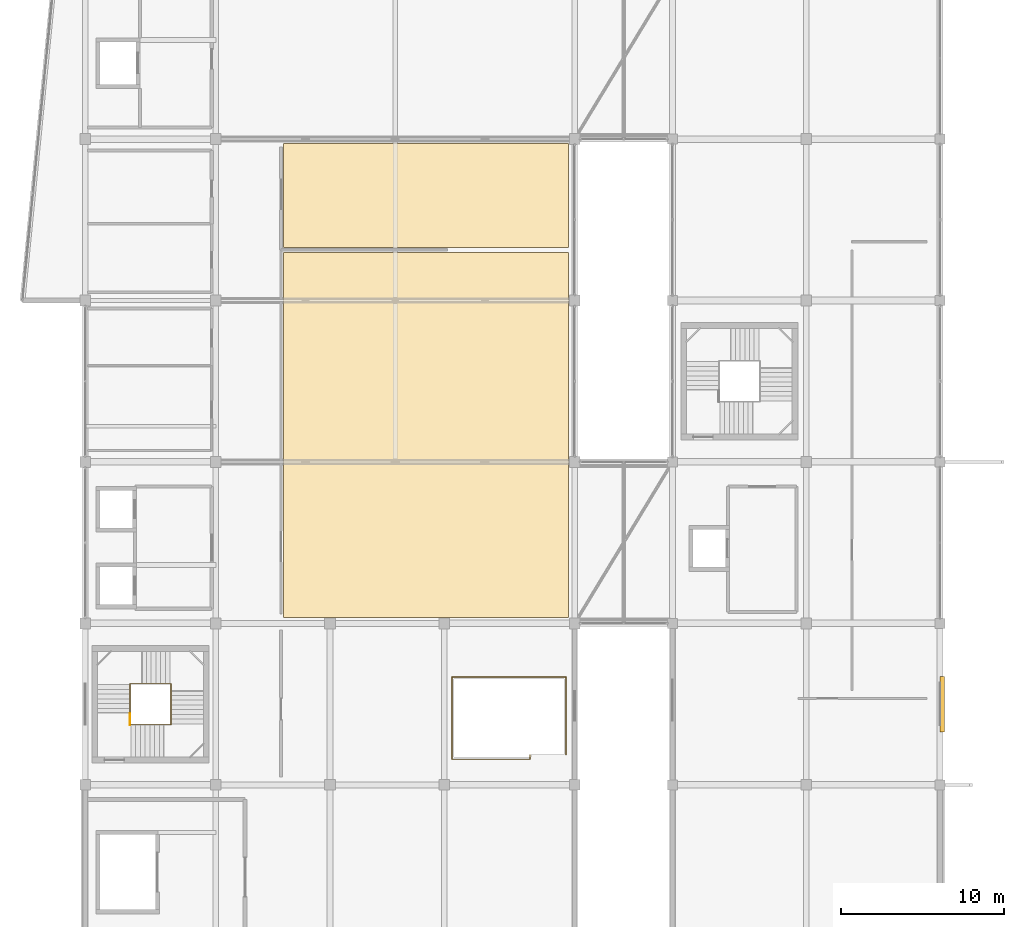
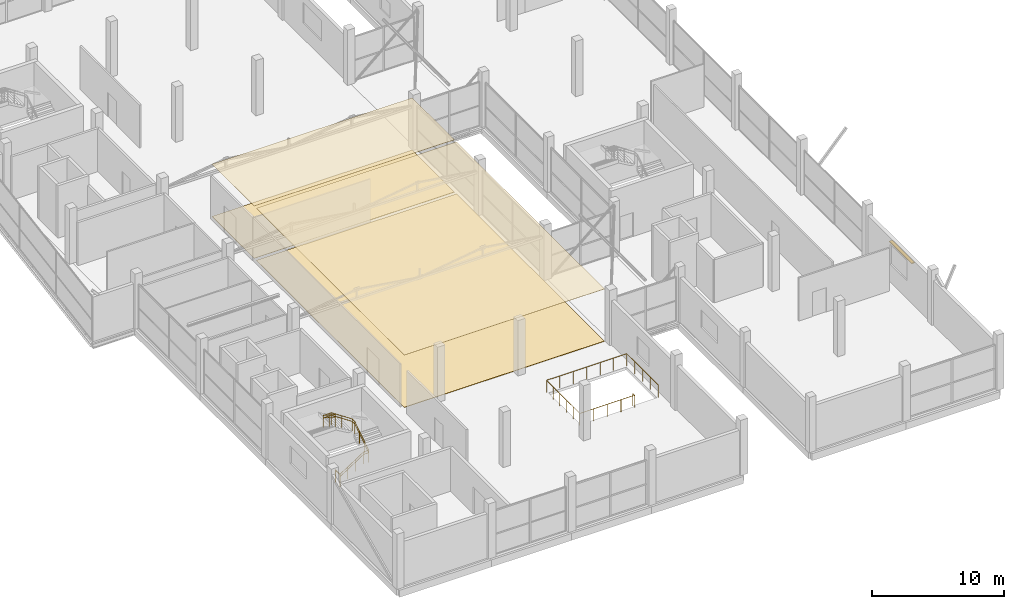
# One storey, part 57 of 58: 4 coverings, 4 railings, 1 shading device.
"""IFC4 building model written with IfcOpenShell, lengths in metres."""

from ifc_helpers import new_model, si_unit, direction, frame, origin, origin_2d, place, context, subcontext, project, spatial, polyline, rectangle, circle, outline, extrude, material, layer, layer_set, type_object, element, save


model = new_model("IFC4")

# Units and contexts
model_context = context("Model", 3, precision=1e-05, world=origin(), true_north=direction((0.0, 1.0)))
body_context = subcontext(model_context, "Body", "Model", "MODEL_VIEW")
ifc_project = project(units=[si_unit("LENGTHUNIT", "METRE"), si_unit("AREAUNIT", "SQUARE_METRE"), si_unit("VOLUMEUNIT", "CUBIC_METRE"), si_unit("PLANEANGLEUNIT", "RADIAN"), si_unit("MASSUNIT", "GRAM", prefix="KILO")], contexts=[model_context])

# Site, building, storey
site_placement = place(None, origin())
site = spatial("IfcSite", under=ifc_project, at=site_placement, CompositionType="ELEMENT")
building_placement = place(site_placement, origin())
building = spatial("IfcBuilding", under=site, at=building_placement, Name="Sillaruma Civic Art Gallery", CompositionType="ELEMENT")
storey_placement = place(building_placement, frame((0.0, 0.0, 52.02001953125)))
storey = spatial("IfcBuildingStorey", under=building, at=storey_placement, Name="L10", CompositionType="ELEMENT", Elevation=52.02001953125)

# Coverings
ifc_material_1 = material(Name="Gypsum Acoustic Board", Category="gypsum")
ifc_layer_1 = layer(ifc_material_1, 0.030029296875, Name="Gypsum Acoustic Board")
ifc_layer_set_1 = layer_set([ifc_layer_1], Name="Gypsum Acoustic Board")
covering_type_1 = type_object("IfcCoveringType", Name="COV-CLG-30", PredefinedType="CEILING", material=ifc_layer_set_1)
covering_1_placement = place(storey_placement, frame((0.0, 0.0, 4.820068359375)))
element("IfcCovering", 1, at=covering_1_placement, inside=storey, type_object=covering_type_1, Name="Acoustic Gallery Ceiling (L10-GALW1)", PredefinedType="CEILING", context=body_context, shape_type="SweptSolid", body=[
    extrude(outline(polyline([(74.159912109375, 39.9599609375), (91.639892578125, 39.9599609375), (91.639892578125, 62.340087890625), (74.159912109375, 62.340087890625), (74.159912109375, 39.9599609375)])), origin(), (0.0, 0.0, 1.0), 0.030029296875),
])
covering_2_placement = place(storey_placement, frame((0.0, 0.0, 4.820068359375)))
element("IfcCovering", 2, at=covering_2_placement, inside=storey, type_object=covering_type_1, Name="Acoustic Gallery Ceiling (L10-GALW2)", PredefinedType="CEILING", context=body_context, shape_type="SweptSolid", body=[
    extrude(outline(polyline([(74.159912109375, 62.659912109375), (91.639892578125, 62.659912109375), (91.639892578125, 69.0400390625), (74.159912109375, 69.0400390625), (74.159912109375, 62.659912109375)])), origin(), (0.0, 0.0, 1.0), 0.030029296875),
])
ifc_material_2 = material(Name="Polished Terrazzo", Category="masonry")
ifc_layer_2 = layer(ifc_material_2, 0.02490234375, Name="Polished Terrazzo")
ifc_layer_set_2 = layer_set([ifc_layer_2], Name="Polished Terrazzo")
covering_type_2 = type_object("IfcCoveringType", Name="COV-FLR-25", PredefinedType="FLOORING", material=ifc_layer_set_2)
covering_3_placement = place(storey_placement, origin())
element("IfcCovering", 3, at=covering_3_placement, inside=storey, type_object=covering_type_2, Name="Gallery Stone Terrazzo Flooring (L10-GALW2)", PredefinedType="FLOORING", context=body_context, shape_type="SweptSolid", body=[
    extrude(outline(polyline([(74.159912109375, 62.659912109375), (91.639892578125, 62.659912109375), (91.639892578125, 69.0400390625), (74.159912109375, 69.0400390625), (74.159912109375, 62.659912109375)])), origin(), (0.0, 0.0, 1.0), 0.02490234375),
])
ifc_material_3 = material(Name="Basalt Paver Stone", Category="masonry")
ifc_layer_3 = layer(ifc_material_3, 0.034912109375, Name="Basalt Paver Stone")
ifc_layer_set_3 = layer_set([ifc_layer_3], Name="Basalt Paver Stone")
covering_type_3 = type_object("IfcCoveringType", Name="COV-FLR-35", PredefinedType="FLOORING", material=ifc_layer_set_3)
covering_4_placement = place(storey_placement, origin())
element("IfcCovering", 4, at=covering_4_placement, inside=storey, type_object=covering_type_3, Name="Gallery Stone Terrazzo Flooring (L10-GALW1)", PredefinedType="FLOORING", context=body_context, shape_type="SweptSolid", body=[
    extrude(outline(polyline([(74.159912109375, 39.9599609375), (91.639892578125, 39.9599609375), (91.639892578125, 62.340087890625), (74.159912109375, 62.340087890625), (74.159912109375, 39.9599609375)])), origin(), (0.0, 0.0, 1.0), 0.034912109375),
])

# Railings
ifc_material_4 = material(Name="Stainless Steel AISI 316", Category="steel")
railing_type_1 = type_object("IfcRailingType", Name="RAL-BAL-1150", PredefinedType="BALUSTRADE", material=ifc_material_4)
railing_1_placement = place(storey_placement, frame((64.739990234375, 33.389892578125, 0.0)))
element("IfcRailing", 5, at=railing_1_placement, inside=storey, type_object=railing_type_1, Name="Stair Floor Edge Guard (ST-03:L10)", PredefinedType="BALUSTRADE", context=body_context, shape_type="SweptSolid", body=[
    extrude(circle(Radius=0.02392578125, at=origin_2d()), frame((0.0, 0.0, 1.1259765625), z_axis=(0.0, 1.0, 0.0), x_axis=(-1.0, 0.0, 0.0)), (0.0, 0.0, 1.0), 0.68017578125),
    extrude(circle(Radius=0.02099609375, at=origin_2d()), origin(), (0.0, 0.0, 1.0), 1.101806640625),
    extrude(circle(Radius=0.02099609375, at=origin_2d()), frame((0.0, 0.68017578125, 0.0)), (0.0, 0.0, 1.0), 1.101806640625),
])
railing_2_placement = place(storey_placement, frame((64.739990234375, 33.389892578125, 0.0)))
element("IfcRailing", 6, at=railing_2_placement, inside=storey, type_object=railing_type_1, Name="Stair Well Balustrade (ST-03-L10)", PredefinedType="BALUSTRADE", context=body_context, shape_type="SweptSolid", body=[
    extrude(circle(Radius=0.02392578125, at=origin_2d()), frame((0.0, 0.0, 1.1259765625), z_axis=(0.838204181713, 0.0, 0.545356534534), x_axis=(0.0, 1.0, 0.0)), (0.0, 0.0, 1.0), 2.49365234375),
    extrude(circle(Radius=0.02392578125, at=origin_2d()), frame((2.090087890625, 0.0, 2.48583984375), z_axis=(1.0, 0.0, 0.0), x_axis=(0.0, 1.0, 0.0)), (0.0, 0.0, 1.0), 0.429931640625),
    extrude(circle(Radius=0.02392578125, at=origin_2d()), frame((2.52001953125, 0.0, 2.48583984375), z_axis=(0.0, 0.838159424827, 0.545425318971), x_axis=(-1.0, 0.0, 0.0)), (0.0, 0.0, 1.0), 2.49365234375),
    extrude(circle(Radius=0.02392578125, at=origin_2d()), frame((2.52001953125, 2.090087890625, 3.845703125), z_axis=(0.0, 1.0, 0.0), x_axis=(-1.0, 0.0, 0.0)), (0.0, 0.0, 1.0), 0.429931640625),
    extrude(circle(Radius=0.02392578125, at=origin_2d()), frame((2.52001953125, 2.52001953125, 3.845703125), z_axis=(-0.834202413191, 0.0, 0.551458369984), x_axis=(0.0, -1.0, 0.0)), (0.0, 0.0, 1.0), 2.15771484375),
    extrude(circle(Radius=0.02392578125, at=origin_2d()), frame((0.719970703125, 2.52001953125, 5.03564453125), z_axis=(-1.0, 0.0, 0.0), x_axis=(0.0, -1.0, 0.0)), (0.0, 0.0, 1.0), 0.719970703125),
    extrude(circle(Radius=0.02392578125, at=origin_2d()), frame((0.0, 2.52001953125, 5.03564453125), z_axis=(0.0, -0.83411594383, 0.551589151678), x_axis=(1.0, 0.0, 0.0)), (0.0, 0.0, 1.0), 2.15771484375),
    extrude(circle(Radius=0.02099609375, at=origin_2d()), origin(), (0.0, 0.0, 1.0), 1.101806640625),
    extrude(circle(Radius=0.02099609375, at=origin_2d()), frame((0.69677734375, 0.0, 0.453369140625)), (0.0, 0.0, 1.0), 1.101806640625),
    extrude(circle(Radius=0.02099609375, at=origin_2d()), frame((1.393310546875, 0.0, 0.906494140625)), (0.0, 0.0, 1.0), 1.101806640625),
    extrude(circle(Radius=0.02099609375, at=origin_2d()), frame((2.090087890625, 0.0, 1.35986328125)), (0.0, 0.0, 1.0), 1.101806640625),
    extrude(circle(Radius=0.02099609375, at=origin_2d()), frame((2.52001953125, 0.0, 1.35986328125)), (0.0, 0.0, 1.0), 1.101806640625),
    extrude(circle(Radius=0.02099609375, at=origin_2d()), frame((2.52001953125, 0.69677734375, 1.813232421875)), (0.0, 0.0, 1.0), 1.101806640625),
    extrude(circle(Radius=0.02099609375, at=origin_2d()), frame((2.52001953125, 1.393310546875, 2.2666015625)), (0.0, 0.0, 1.0), 1.101806640625),
    extrude(circle(Radius=0.02099609375, at=origin_2d()), frame((2.52001953125, 2.090087890625, 2.719970703125)), (0.0, 0.0, 1.0), 1.101806640625),
    extrude(circle(Radius=0.02099609375, at=origin_2d()), frame((2.52001953125, 2.52001953125, 2.719970703125)), (0.0, 0.0, 1.0), 1.101806640625),
    extrude(circle(Radius=0.02099609375, at=origin_2d()), frame((1.6201171875, 2.52001953125, 3.31494140625)), (0.0, 0.0, 1.0), 1.101806640625),
    extrude(circle(Radius=0.02099609375, at=origin_2d()), frame((0.719970703125, 2.52001953125, 3.909912109375)), (0.0, 0.0, 1.0), 1.101806640625),
    extrude(circle(Radius=0.02099609375, at=origin_2d()), frame((0.0, 2.52001953125, 3.909912109375)), (0.0, 0.0, 1.0), 1.101806640625),
    extrude(circle(Radius=0.02099609375, at=origin_2d()), frame((0.0, 1.6201171875, 4.5048828125)), (0.0, 0.0, 1.0), 1.101806640625),
    extrude(circle(Radius=0.02099609375, at=origin_2d()), frame((0.0, 0.72021484375, 5.10009765625)), (0.0, 0.0, 1.0), 1.101806640625),
])
railing_3_placement = place(storey_placement, frame((89.260009765625, 31.550048828125, 0.0)))
element("IfcRailing", 7, at=railing_3_placement, inside=storey, type_object=railing_type_1, Name="Feature Stair Arrival Well Balustrade (ST-G06)", PredefinedType="BALUSTRADE", context=body_context, shape_type="SweptSolid", body=[
    extrude(circle(Radius=0.02392578125, at=origin_2d()), frame((0.0, 0.0, 1.1259765625), z_axis=(0.0, -1.0, 0.0), x_axis=(1.0, 0.0, 0.0)), (0.0, 0.0, 1.0), 0.27001953125),
    extrude(circle(Radius=0.02392578125, at=origin_2d()), frame((0.0, -0.27001953125, 1.1259765625), z_axis=(-1.0, 0.0, 0.0), x_axis=(0.0, -1.0, 0.0)), (0.0, 0.0, 1.0), 4.780029296875),
    extrude(circle(Radius=0.02392578125, at=origin_2d()), frame((-4.780029296875, -0.27001953125, 1.1259765625), z_axis=(0.0, 1.0, 0.0), x_axis=(-1.0, 0.0, 0.0)), (0.0, 0.0, 1.0), 5.0400390625),
    extrude(circle(Radius=0.02392578125, at=origin_2d()), frame((-4.780029296875, 4.77001953125, 1.1259765625), z_axis=(1.0, 0.0, 0.0), x_axis=(0.0, 1.0, 0.0)), (0.0, 0.0, 1.0), 7.0),
    extrude(circle(Radius=0.02392578125, at=origin_2d()), frame((2.219970703125, 4.77001953125, 1.1259765625), z_axis=(0.0, -1.0, 0.0), x_axis=(1.0, 0.0, 0.0)), (0.0, 0.0, 1.0), 4.77001953125),
    extrude(circle(Radius=0.02099609375, at=origin_2d()), origin(), (0.0, 0.0, 1.0), 1.101806640625),
    extrude(circle(Radius=0.02099609375, at=origin_2d()), frame((0.0, -0.27001953125, 0.0)), (0.0, 0.0, 1.0), 1.101806640625),
    extrude(circle(Radius=0.02099609375, at=origin_2d()), frame((-1.195068359375, -0.27001953125, 0.0)), (0.0, 0.0, 1.0), 1.101806640625),
    extrude(circle(Radius=0.02099609375, at=origin_2d()), frame((-2.39013671875, -0.27001953125, 0.0)), (0.0, 0.0, 1.0), 1.101806640625),
    extrude(circle(Radius=0.02099609375, at=origin_2d()), frame((-3.5849609375, -0.27001953125, 0.0)), (0.0, 0.0, 1.0), 1.101806640625),
    extrude(circle(Radius=0.02099609375, at=origin_2d()), frame((-4.780029296875, -0.27001953125, 0.0)), (0.0, 0.0, 1.0), 1.101806640625),
    extrude(circle(Radius=0.02099609375, at=origin_2d()), frame((-4.780029296875, 0.738037109375, 0.0)), (0.0, 0.0, 1.0), 1.101806640625),
    extrude(circle(Radius=0.02099609375, at=origin_2d()), frame((-4.780029296875, 1.74609375, 0.0)), (0.0, 0.0, 1.0), 1.101806640625),
    extrude(circle(Radius=0.02099609375, at=origin_2d()), frame((-4.780029296875, 2.75390625, 0.0)), (0.0, 0.0, 1.0), 1.101806640625),
    extrude(circle(Radius=0.02099609375, at=origin_2d()), frame((-4.780029296875, 3.761962890625, 0.0)), (0.0, 0.0, 1.0), 1.101806640625),
    extrude(circle(Radius=0.02099609375, at=origin_2d()), frame((-4.780029296875, 4.77001953125, 0.0)), (0.0, 0.0, 1.0), 1.101806640625),
    extrude(circle(Radius=0.02099609375, at=origin_2d()), frame((-3.61328125, 4.77001953125, 0.0)), (0.0, 0.0, 1.0), 1.101806640625),
    extrude(circle(Radius=0.02099609375, at=origin_2d()), frame((-2.44677734375, 4.77001953125, 0.0)), (0.0, 0.0, 1.0), 1.101806640625),
    extrude(circle(Radius=0.02099609375, at=origin_2d()), frame((-1.280029296875, 4.77001953125, 0.0)), (0.0, 0.0, 1.0), 1.101806640625),
    extrude(circle(Radius=0.02099609375, at=origin_2d()), frame((-0.11328125, 4.77001953125, 0.0)), (0.0, 0.0, 1.0), 1.101806640625),
    extrude(circle(Radius=0.02099609375, at=origin_2d()), frame((1.05322265625, 4.77001953125, 0.0)), (0.0, 0.0, 1.0), 1.101806640625),
    extrude(circle(Radius=0.02099609375, at=origin_2d()), frame((2.219970703125, 4.77001953125, 0.0)), (0.0, 0.0, 1.0), 1.101806640625),
    extrude(circle(Radius=0.02099609375, at=origin_2d()), frame((2.219970703125, 3.57763671875, 0.0)), (0.0, 0.0, 1.0), 1.101806640625),
    extrude(circle(Radius=0.02099609375, at=origin_2d()), frame((2.219970703125, 2.385009765625, 0.0)), (0.0, 0.0, 1.0), 1.101806640625),
    extrude(circle(Radius=0.02099609375, at=origin_2d()), frame((2.219970703125, 1.1923828125, 0.0)), (0.0, 0.0, 1.0), 1.101806640625),
    extrude(circle(Radius=0.02099609375, at=origin_2d()), frame((2.219970703125, 0.0, 0.0)), (0.0, 0.0, 1.0), 1.101806640625),
])
railing_type_2 = type_object("IfcRailingType", Name="RAL-HND-920", PredefinedType="HANDRAIL", material=ifc_material_4)
railing_4_placement = place(storey_placement, frame((64.739990234375, 33.389892578125, 0.0)))
element("IfcRailing", 8, at=railing_4_placement, inside=storey, type_object=railing_type_2, Name="Stair Continuous Handrail (ST-03-L10)", PredefinedType="HANDRAIL", context=body_context, shape_type="SweptSolid", body=[
    extrude(circle(Radius=0.02392578125, at=origin_2d()), frame((0.0, 0.0, 0.89599609375), z_axis=(0.838204181713, 0.0, 0.545356534534), x_axis=(0.0, 1.0, 0.0)), (0.0, 0.0, 1.0), 2.49365234375),
    extrude(circle(Radius=0.02392578125, at=origin_2d()), frame((2.090087890625, 0.0, 2.255859375), z_axis=(1.0, 0.0, 0.0), x_axis=(0.0, 1.0, 0.0)), (0.0, 0.0, 1.0), 0.429931640625),
    extrude(circle(Radius=0.02392578125, at=origin_2d()), frame((2.52001953125, 0.0, 2.255859375), z_axis=(0.0, 0.838159424827, 0.545425318971), x_axis=(-1.0, 0.0, 0.0)), (0.0, 0.0, 1.0), 2.49365234375),
    extrude(circle(Radius=0.02392578125, at=origin_2d()), frame((2.52001953125, 2.090087890625, 3.61572265625), z_axis=(0.0, 1.0, 0.0), x_axis=(-1.0, 0.0, 0.0)), (0.0, 0.0, 1.0), 0.429931640625),
    extrude(circle(Radius=0.02392578125, at=origin_2d()), frame((2.52001953125, 2.52001953125, 3.61572265625), z_axis=(-0.834202413191, 0.0, 0.551458369984), x_axis=(0.0, -1.0, 0.0)), (0.0, 0.0, 1.0), 2.15771484375),
    extrude(circle(Radius=0.02392578125, at=origin_2d()), frame((0.719970703125, 2.52001953125, 4.8056640625), z_axis=(-1.0, 0.0, 0.0), x_axis=(0.0, -1.0, 0.0)), (0.0, 0.0, 1.0), 0.719970703125),
    extrude(circle(Radius=0.02392578125, at=origin_2d()), frame((0.0, 2.52001953125, 4.8056640625), z_axis=(0.0, -0.83411594383, 0.551589151678), x_axis=(1.0, 0.0, 0.0)), (0.0, 0.0, 1.0), 2.15771484375),
    extrude(circle(Radius=0.02099609375, at=origin_2d()), origin(), (0.0, 0.0, 1.0), 0.871826171875),
    extrude(circle(Radius=0.02099609375, at=origin_2d()), frame((0.69677734375, 0.0, 0.453369140625)), (0.0, 0.0, 1.0), 0.871826171875),
    extrude(circle(Radius=0.02099609375, at=origin_2d()), frame((1.393310546875, 0.0, 0.906494140625)), (0.0, 0.0, 1.0), 0.871826171875),
    extrude(circle(Radius=0.02099609375, at=origin_2d()), frame((2.090087890625, 0.0, 1.35986328125)), (0.0, 0.0, 1.0), 0.871826171875),
    extrude(circle(Radius=0.02099609375, at=origin_2d()), frame((2.52001953125, 0.0, 1.35986328125)), (0.0, 0.0, 1.0), 0.871826171875),
    extrude(circle(Radius=0.02099609375, at=origin_2d()), frame((2.52001953125, 0.69677734375, 1.813232421875)), (0.0, 0.0, 1.0), 0.871826171875),
    extrude(circle(Radius=0.02099609375, at=origin_2d()), frame((2.52001953125, 1.393310546875, 2.2666015625)), (0.0, 0.0, 1.0), 0.871826171875),
    extrude(circle(Radius=0.02099609375, at=origin_2d()), frame((2.52001953125, 2.090087890625, 2.719970703125)), (0.0, 0.0, 1.0), 0.871826171875),
    extrude(circle(Radius=0.02099609375, at=origin_2d()), frame((2.52001953125, 2.52001953125, 2.719970703125)), (0.0, 0.0, 1.0), 0.871826171875),
    extrude(circle(Radius=0.02099609375, at=origin_2d()), frame((1.6201171875, 2.52001953125, 3.31494140625)), (0.0, 0.0, 1.0), 0.871826171875),
    extrude(circle(Radius=0.02099609375, at=origin_2d()), frame((0.719970703125, 2.52001953125, 3.909912109375)), (0.0, 0.0, 1.0), 0.871826171875),
    extrude(circle(Radius=0.02099609375, at=origin_2d()), frame((0.0, 2.52001953125, 3.909912109375)), (0.0, 0.0, 1.0), 0.871826171875),
    extrude(circle(Radius=0.02099609375, at=origin_2d()), frame((0.0, 1.6201171875, 4.5048828125)), (0.0, 0.0, 1.0), 0.871826171875),
    extrude(circle(Radius=0.02099609375, at=origin_2d()), frame((0.0, 0.72021484375, 5.10009765625)), (0.0, 0.0, 1.0), 0.871826171875),
])

# Shading device
ifc_material_5 = material(Name="Anodised Extruded Aluminium 6063-T6", Category="aluminium")
shading_device_type = type_object("IfcShadingDeviceType", Name="SHD-LOU-01", PredefinedType="USERDEFINED", material=ifc_material_5)
shading_device_placement = place(storey_placement, frame((114.5400390625, 34.64990234375, 3.419921875), z_axis=(0.0, 0.0, 1.0), x_axis=(0.0, 1.0, 0.0)))
element("IfcShadingDevice", 9, at=shading_device_placement, inside=storey, type_object=shading_device_type, Name="Studio Solar Louvre Baffle (L10-2)", ObjectType="LOUVRE", PredefinedType="USERDEFINED", context=body_context, shape_type="SweptSolid", body=[
    extrude(rectangle(XDim=3.39990234375, YDim=0.280029296875, at=origin_2d()), origin(), (0.0, 0.0, 1.0), 0.06005859375),
])

save(model, "model.ifc")
